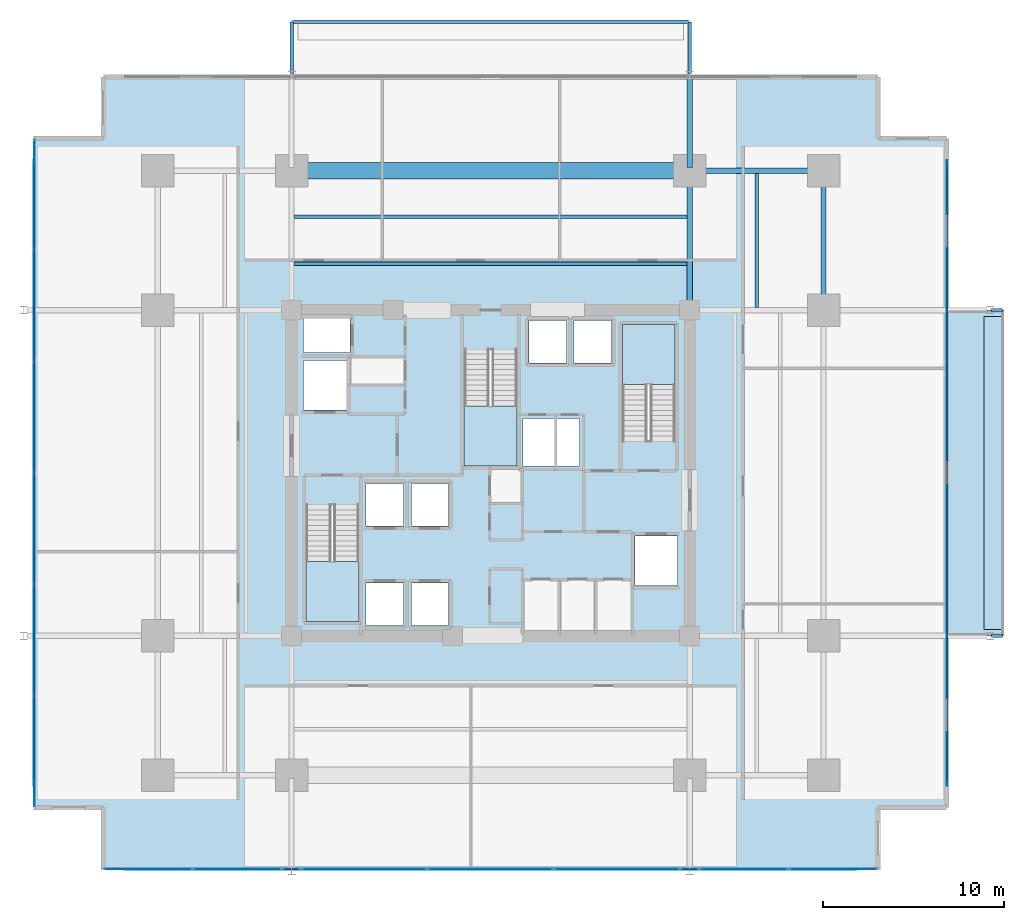
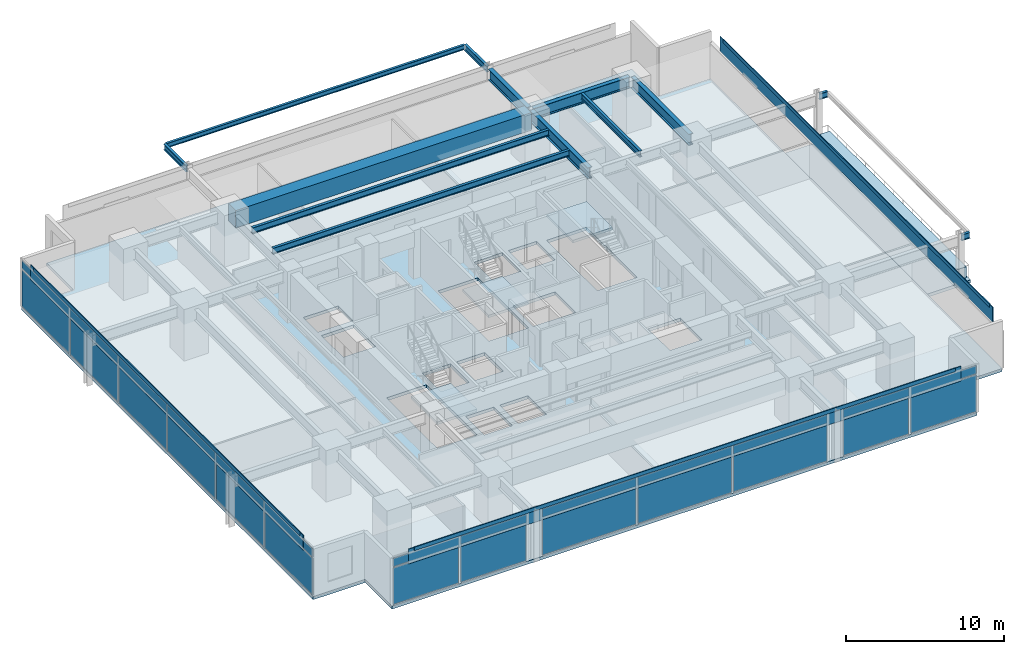
# One storey, part 12 of 20: 32 plates, 13 beams, 6 slabs, 7 elements without a shape of their own.
"""IFC4 building model written with IfcOpenShell, lengths in metres."""

from ifc_helpers import new_model, si_unit, direction, frame, origin, origin_2d, place, context, subcontext, project, spatial, polyline, rectangle, i_section, outline, extrude, material, layer, layer_set, material_profile, profile_set, type_object, element, aggregate, save


model = new_model("IFC4")

# Units and contexts
model_context = context("Model", 3, precision=1e-05, world=origin(), true_north=direction((0.0, 1.0)))
body_context = subcontext(model_context, "Body", "Model", "MODEL_VIEW")
ifc_project = project(units=[si_unit("LENGTHUNIT", "METRE"), si_unit("AREAUNIT", "SQUARE_METRE"), si_unit("VOLUMEUNIT", "CUBIC_METRE"), si_unit("PLANEANGLEUNIT", "RADIAN"), si_unit("MASSUNIT", "GRAM", prefix="KILO")], contexts=[model_context])

# Site, building, storey
site_placement = place(None, origin())
site = spatial("IfcSite", under=ifc_project, at=site_placement, CompositionType="ELEMENT")
building_placement = place(site_placement, origin())
building = spatial("IfcBuilding", under=site, at=building_placement, Name="Kovane Verandah Tower", CompositionType="ELEMENT")
storey_placement = place(building_placement, frame((0.0, 0.0, 39.60009765625)))
storey = spatial("IfcBuildingStorey", under=building, at=storey_placement, Name="L08", CompositionType="ELEMENT", Elevation=39.60009765625)

# Beams
ifc_material_1 = material(Name="Concrete C80/95", Category="concrete")
ifc_material_profile_1 = material_profile(ifc_material_1, rectangle(XDim=0.89990234375, YDim=1.35009765625, at=origin_2d()), Name="RCB900x1350")
ifc_profile_set_1 = profile_set([ifc_material_profile_1], Name="Concrete C80/95")
beam_type_1 = type_object("IfcBeamType", Name="BM-TR-900x1350", PredefinedType="BEAM", material=ifc_profile_set_1)
beam_1_placement = place(storey_placement, frame((29.179931640625, 44.199951171875, 3.0849609375), z_axis=(1.0, 0.0, 0.0), x_axis=(0.0, 1.0, 0.0)))
element("IfcBeam", 1, at=beam_1_placement, inside=storey, type_object=beam_type_1, Name="L08 Primary Tower Girder G-RN2", PredefinedType="BEAM", context=body_context, shape_type="SweptSolid", body=[
    extrude(rectangle(XDim=0.89990234375, YDim=1.35009765625, at=origin_2d()), origin(), (0.0, 0.0, 1.0), 21.64013671875),
])
ifc_material_2 = material(Name="Steel S355", Category="steel")
ifc_material_profile_2 = material_profile(ifc_material_2, i_section(OverallWidth=0.293701171875, OverallDepth=0.850830078125, WebThickness=0.01611328125, FlangeThickness=0.02685546875, FilletRadius=0.017822265625, at=origin_2d()), Name="UB838x292x226")
ifc_profile_set_2 = profile_set([ifc_material_profile_2], Name="Steel S355")
beam_type_2 = type_object("IfcBeamType", Name="BM-UB838x226", PredefinedType="BEAM", material=ifc_profile_set_2)
beam_2_placement = place(storey_placement, frame((51.179931640625, 44.199951171875, 3.33447265625), z_axis=(1.0, 0.0, 0.0), x_axis=(0.0, 1.0, 0.0)))
element("IfcBeam", 2, at=beam_2_placement, inside=storey, type_object=beam_type_2, Name="L08 Primary Tower Girder G-RN3", PredefinedType="BEAM", context=body_context, shape_type="SweptSolid", body=[
    extrude(i_section(OverallWidth=0.293701171875, OverallDepth=0.850830078125, WebThickness=0.01611328125, FlangeThickness=0.02685546875, FilletRadius=0.017822265625, at=origin_2d()), origin(), (0.0, 0.0, 1.0), 7.0400390625),
])
for number, where, z_axis, x_axis, name in (
    (3, (58.39990234375, 36.679931640625, 3.33447265625), (0.0, 1.0, 0.0), (-1.0, 0.0, 0.0), "L08 Primary Tower Girder G-RE3"),
    (4, (51.0, 36.679931640625, 3.33447265625), (0.0, 1.0, 0.0), (-1.0, 0.0, 0.0), "L08 Primary Tower Girder G-N2"),
):
    element("IfcBeam", number, at=place(storey_placement, frame(where, z_axis=z_axis, x_axis=x_axis)), inside=storey, type_object=beam_type_2, Name=name, PredefinedType="BEAM", context=body_context, shape_type="SweptSolid", body=[
        extrude(i_section(OverallWidth=0.293701171875, OverallDepth=0.850830078125, WebThickness=0.01611328125, FlangeThickness=0.02685546875, FilletRadius=0.017822265625, at=origin_2d()), origin(), (0.0, 0.0, 1.0), 7.340087890625),
    ])
beam_3_placement = place(storey_placement, frame((51.0, 44.3798828125, 3.33447265625), z_axis=(0.0, 1.0, 0.0), x_axis=(-1.0, 0.0, 0.0)))
element("IfcBeam", 5, at=beam_3_placement, inside=storey, type_object=beam_type_2, Name="L08 Primary Tower Girder G-VN2", PredefinedType="BEAM", context=body_context, shape_type="SweptSolid", body=[
    extrude(i_section(OverallWidth=0.293701171875, OverallDepth=0.850830078125, WebThickness=0.01611328125, FlangeThickness=0.02685546875, FilletRadius=0.017822265625, at=origin_2d()), origin(), (0.0, 0.0, 1.0), 4.940185546875),
])
ifc_material_profile_3 = material_profile(ifc_material_2, i_section(OverallWidth=0.19287109375, OverallDepth=0.46728515625, WebThickness=0.011474609375, FlangeThickness=0.01953125, FilletRadius=0.01025390625, at=origin_2d()), Name="UB457x191x98")
ifc_profile_set_3 = profile_set([ifc_material_profile_3], Name="Steel S355")
beam_type_3 = type_object("IfcBeamType", Name="JST-UB457x98", PredefinedType="JOIST", material=ifc_profile_set_3)
for number, where, z_axis, x_axis, name in (
    (6, (29.14501953125, 39.050048828125, 3.5263671875), (1.0, 0.0, 0.0), (0.0, 1.0, 0.0), "L08 Secondary Composite Joist J-N1"),
    (7, (29.14501953125, 41.64990234375, 3.5263671875), (1.0, 0.0, 0.0), (0.0, 1.0, 0.0), "L08 Secondary Composite Joist J-N2"),
):
    element("IfcBeam", number, at=place(storey_placement, frame(where, z_axis=z_axis, x_axis=x_axis)), inside=storey, type_object=beam_type_3, Name=name, PredefinedType="JOIST", context=body_context, shape_type="SweptSolid", body=[
        extrude(i_section(OverallWidth=0.19287109375, OverallDepth=0.46728515625, WebThickness=0.011474609375, FlangeThickness=0.01953125, FilletRadius=0.01025390625, at=origin_2d()), origin(), (0.0, 0.0, 1.0), 21.7099609375),
    ])
beam_4_placement = place(storey_placement, frame((54.699951171875, 36.64501953125, 3.5263671875), z_axis=(0.0, 1.0, 0.0), x_axis=(-1.0, 0.0, 0.0)))
element("IfcBeam", 8, at=beam_4_placement, inside=storey, type_object=beam_type_3, Name="L08 Secondary Composite Joist J-NE1", PredefinedType="JOIST", context=body_context, shape_type="SweptSolid", body=[
    extrude(i_section(OverallWidth=0.19287109375, OverallDepth=0.46728515625, WebThickness=0.011474609375, FlangeThickness=0.01953125, FilletRadius=0.01025390625, at=origin_2d()), origin(), (0.0, 0.0, 1.0), 7.41015625),
])
for number, where, z_axis, x_axis, name in (
    (9, (29.0, 49.580078125, 3.5263671875), (0.0, 1.0, 0.0), (-1.0, 0.0, 0.0), "L08 North Planter Girder 1"),
    (10, (51.0, 49.580078125, 3.5263671875), (0.0, 1.0, 0.0), (-1.0, 0.0, 0.0), "L08 North Planter Girder 2"),
):
    element("IfcBeam", number, at=place(storey_placement, frame(where, z_axis=z_axis, x_axis=x_axis)), inside=storey, type_object=beam_type_3, Name=name, PredefinedType="JOIST", context=body_context, shape_type="SweptSolid", body=[
        extrude(i_section(OverallWidth=0.19287109375, OverallDepth=0.46728515625, WebThickness=0.011474609375, FlangeThickness=0.01953125, FilletRadius=0.01025390625, at=origin_2d()), origin(), (0.0, 0.0, 1.0), 2.843017578125),
    ])
for number, where, z_axis, x_axis, name in (
    (11, (67.679931640625, 18.5, 3.5263671875), (1.0, 0.0, 0.0), (0.0, 1.0, 0.0), "L08 East Planter Girder 1"),
    (12, (67.679931640625, 36.5, 3.5263671875), (1.0, 0.0, 0.0), (0.0, 1.0, 0.0), "L08 East Planter Girder 2"),
):
    element("IfcBeam", number, at=place(storey_placement, frame(where, z_axis=z_axis, x_axis=x_axis)), inside=storey, type_object=beam_type_3, Name=name, PredefinedType="JOIST", context=body_context, shape_type="SweptSolid", body=[
        extrude(i_section(OverallWidth=0.19287109375, OverallDepth=0.46728515625, WebThickness=0.011474609375, FlangeThickness=0.01953125, FilletRadius=0.01025390625, at=origin_2d()), origin(), (0.0, 0.0, 1.0), 0.60302734375),
    ])
ifc_material_profile_4 = material_profile(ifc_material_2, i_section(OverallWidth=0.173095703125, OverallDepth=0.36328125, WebThickness=0.009033203125, FlangeThickness=0.015625, FilletRadius=0.01025390625, at=origin_2d()), Name="UB356x171x67")
ifc_profile_set_4 = profile_set([ifc_material_profile_4], Name="Steel S355")
beam_type_4 = type_object("IfcBeamType", Name="SPD-UB356x67", PredefinedType="USERDEFINED", material=ifc_profile_set_4)
beam_5_placement = place(storey_placement, frame((29.094482421875, 52.423095703125, 3.578125), z_axis=(1.0, 0.0, 0.0), x_axis=(0.0, 1.0, 0.0)))
element("IfcBeam", 13, at=beam_5_placement, inside=storey, type_object=beam_type_4, Name="L08 North Planter Edge Spandrel", ObjectType="SPANDREL", PredefinedType="USERDEFINED", context=body_context, shape_type="SweptSolid", body=[
    extrude(i_section(OverallWidth=0.173095703125, OverallDepth=0.36328125, WebThickness=0.009033203125, FlangeThickness=0.015625, FilletRadius=0.01025390625, at=origin_2d()), origin(), (0.0, 0.0, 1.0), 21.81103515625),
])

# Curtain wall, plates
ifc_material_3 = material(Name="Champagne Anodised Aluminium Frame with Low-E Clear Laminated Glass", Category="aluminium")
curtain_wall_type = type_object("IfcCurtainWallType", Name="CW-SYS-02-LOW", PredefinedType="NOTDEFINED", material=ifc_material_3)
curtain_wall_1_placement = place(storey_placement, origin())
curtain_wall_1 = element("IfcCurtainWall", 14, at=curtain_wall_1_placement, inside=storey, type_object=curtain_wall_type, Name="L08 S Unitised Curtain Wall-1", PredefinedType="NOTDEFINED")
ifc_material_4 = material(Name="Pale Champagne Anodised Aluminium Insulated Spandrel", Category="aluminium")
ifc_layer_1 = layer(ifc_material_4, 0.0400390625)
ifc_layer_set_1 = layer_set([ifc_layer_1], Name="Pale Champagne Anodised Aluminium Insulated Spandrel")
plate_type_1 = type_object("IfcPlateType", Name="PL-CW-SPD-40", PredefinedType="SHEET", material=ifc_layer_set_1)
plate_1_placement = place(storey_placement, frame((21.067626953125, 5.617919921875, 3.02978515625), z_axis=(0.0, 0.0, 1.0), x_axis=(1.0, 0.0, 0.0)))
plate_1 = element("IfcPlate", 15, at=plate_1_placement, type_object=plate_type_1, Name="L08 S Unitised Curtain Wall-1 Spandrel Panel 1", PredefinedType="SHEET", context=body_context, shape_type="SweptSolid", body=[
    extrude(rectangle(XDim=4.801513671875, YDim=0.0400390625, at=origin_2d()), origin(), (0.0, 0.0, 1.0), 0.639892578125),
])
plate_2_placement = place(storey_placement, frame((26.00927734375, 5.617919921875, 3.02978515625), z_axis=(0.0, 0.0, 1.0), x_axis=(1.0, 0.0, 0.0)))
plate_2 = element("IfcPlate", 16, at=plate_2_placement, type_object=plate_type_1, Name="L08 S Unitised Curtain Wall-1 Spandrel Panel 2", PredefinedType="SHEET", context=body_context, shape_type="SweptSolid", body=[
    extrude(rectangle(XDim=4.801513671875, YDim=0.0400390625, at=origin_2d()), origin(), (0.0, 0.0, 1.0), 0.639892578125),
])

curtain_wall_2_placement = place(storey_placement, origin())
curtain_wall_2 = element("IfcCurtainWall", 17, at=curtain_wall_2_placement, inside=storey, type_object=curtain_wall_type, Name="L08 S Unitised Curtain Wall-2", PredefinedType="NOTDEFINED")
plate_3_placement = place(storey_placement, frame((33.01318359375, 5.617919921875, 3.02978515625), z_axis=(0.0, 0.0, 1.0), x_axis=(1.0, 0.0, 0.0)))
plate_3 = element("IfcPlate", 18, at=plate_3_placement, type_object=plate_type_1, Name="L08 S Unitised Curtain Wall-2 Spandrel Panel 1", PredefinedType="SHEET", context=body_context, shape_type="SweptSolid", body=[
    extrude(rectangle(XDim=6.8466796875, YDim=0.0400390625, at=origin_2d()), origin(), (0.0, 0.0, 1.0), 0.639892578125),
])
plate_4_placement = place(storey_placement, frame((40.0, 5.617919921875, 3.02978515625), z_axis=(0.0, 0.0, 1.0), x_axis=(1.0, 0.0, 0.0)))
plate_4 = element("IfcPlate", 19, at=plate_4_placement, type_object=plate_type_1, Name="L08 S Unitised Curtain Wall-2 Spandrel Panel 2", PredefinedType="SHEET", context=body_context, shape_type="SweptSolid", body=[
    extrude(rectangle(XDim=6.8466796875, YDim=0.0400390625, at=origin_2d()), origin(), (0.0, 0.0, 1.0), 0.639892578125),
])
plate_5_placement = place(storey_placement, frame((46.98681640625, 5.617919921875, 3.02978515625), z_axis=(0.0, 0.0, 1.0), x_axis=(1.0, 0.0, 0.0)))
plate_5 = element("IfcPlate", 20, at=plate_5_placement, type_object=plate_type_1, Name="L08 S Unitised Curtain Wall-2 Spandrel Panel 3", PredefinedType="SHEET", context=body_context, shape_type="SweptSolid", body=[
    extrude(rectangle(XDim=6.8466796875, YDim=0.0400390625, at=origin_2d()), origin(), (0.0, 0.0, 1.0), 0.639892578125),
])

curtain_wall_3_placement = place(storey_placement, origin())
curtain_wall_3 = element("IfcCurtainWall", 21, at=curtain_wall_3_placement, inside=storey, type_object=curtain_wall_type, Name="L08 S Unitised Curtain Wall-3", PredefinedType="NOTDEFINED")
plate_6_placement = place(storey_placement, frame((53.99072265625, 5.617919921875, 3.02978515625), z_axis=(0.0, 0.0, 1.0), x_axis=(1.0, 0.0, 0.0)))
plate_6 = element("IfcPlate", 22, at=plate_6_placement, type_object=plate_type_1, Name="L08 S Unitised Curtain Wall-3 Spandrel Panel 1", PredefinedType="SHEET", context=body_context, shape_type="SweptSolid", body=[
    extrude(rectangle(XDim=4.801513671875, YDim=0.0400390625, at=origin_2d()), origin(), (0.0, 0.0, 1.0), 0.639892578125),
])
plate_7_placement = place(storey_placement, frame((58.932373046875, 5.617919921875, 3.02978515625), z_axis=(0.0, 0.0, 1.0), x_axis=(1.0, 0.0, 0.0)))
plate_7 = element("IfcPlate", 23, at=plate_7_placement, type_object=plate_type_1, Name="L08 S Unitised Curtain Wall-3 Spandrel Panel 2", PredefinedType="SHEET", context=body_context, shape_type="SweptSolid", body=[
    extrude(rectangle(XDim=4.801513671875, YDim=0.0400390625, at=origin_2d()), origin(), (0.0, 0.0, 1.0), 0.639892578125),
])

curtain_wall_4_placement = place(storey_placement, origin())
curtain_wall_4 = element("IfcCurtainWall", 24, at=curtain_wall_4_placement, inside=storey, type_object=curtain_wall_type, Name="L08 W Unitised Curtain Wall", PredefinedType="NOTDEFINED")
plate_8_placement = place(storey_placement, frame((14.796875, 42.90185546875, 3.02978515625), z_axis=(0.0, 0.0, 1.0), x_axis=(0.0, -1.0, 0.0)))
plate_8 = element("IfcPlate", 25, at=plate_8_placement, type_object=plate_type_1, Name="L08 W Unitised Curtain Wall Spandrel Panel 1", PredefinedType="SHEET", context=body_context, shape_type="SweptSolid", body=[
    extrude(rectangle(XDim=6.020751953125, YDim=0.0400390625, at=origin_2d()), origin(), (0.0, 0.0, 1.0), 0.639892578125),
])
plate_9_placement = place(storey_placement, frame((14.796875, 36.7412109375, 3.02978515625), z_axis=(0.0, 0.0, 1.0), x_axis=(0.0, -1.0, 0.0)))
plate_9 = element("IfcPlate", 26, at=plate_9_placement, type_object=plate_type_1, Name="L08 W Unitised Curtain Wall Spandrel Panel 2", PredefinedType="SHEET", context=body_context, shape_type="SweptSolid", body=[
    extrude(rectangle(XDim=6.020751953125, YDim=0.0400390625, at=origin_2d()), origin(), (0.0, 0.0, 1.0), 0.639892578125),
])
plate_10_placement = place(storey_placement, frame((14.796875, 30.580322265625, 3.02978515625), z_axis=(0.0, 0.0, 1.0), x_axis=(0.0, -1.0, 0.0)))
plate_10 = element("IfcPlate", 27, at=plate_10_placement, type_object=plate_type_1, Name="L08 W Unitised Curtain Wall Spandrel Panel 3", PredefinedType="SHEET", context=body_context, shape_type="SweptSolid", body=[
    extrude(rectangle(XDim=6.020751953125, YDim=0.0400390625, at=origin_2d()), origin(), (0.0, 0.0, 1.0), 0.639892578125),
])
plate_11_placement = place(storey_placement, frame((14.796875, 24.419677734375, 3.02978515625), z_axis=(0.0, 0.0, 1.0), x_axis=(0.0, -1.0, 0.0)))
plate_11 = element("IfcPlate", 28, at=plate_11_placement, type_object=plate_type_1, Name="L08 W Unitised Curtain Wall Spandrel Panel 4", PredefinedType="SHEET", context=body_context, shape_type="SweptSolid", body=[
    extrude(rectangle(XDim=6.020751953125, YDim=0.0400390625, at=origin_2d()), origin(), (0.0, 0.0, 1.0), 0.639892578125),
])
plate_12_placement = place(storey_placement, frame((14.796875, 18.2587890625, 3.02978515625), z_axis=(0.0, 0.0, 1.0), x_axis=(0.0, -1.0, 0.0)))
plate_12 = element("IfcPlate", 29, at=plate_12_placement, type_object=plate_type_1, Name="L08 W Unitised Curtain Wall Spandrel Panel 5", PredefinedType="SHEET", context=body_context, shape_type="SweptSolid", body=[
    extrude(rectangle(XDim=6.020751953125, YDim=0.0400390625, at=origin_2d()), origin(), (0.0, 0.0, 1.0), 0.639892578125),
])
plate_13_placement = place(storey_placement, frame((14.796875, 12.09814453125, 3.02978515625), z_axis=(0.0, 0.0, 1.0), x_axis=(0.0, -1.0, 0.0)))
plate_13 = element("IfcPlate", 30, at=plate_13_placement, type_object=plate_type_1, Name="L08 W Unitised Curtain Wall Spandrel Panel 6", PredefinedType="SHEET", context=body_context, shape_type="SweptSolid", body=[
    extrude(rectangle(XDim=6.020751953125, YDim=0.0400390625, at=origin_2d()), origin(), (0.0, 0.0, 1.0), 0.639892578125),
])

# Plate
ifc_material_5 = material(Name="Clear Low-E Laminated Double Glazing", Category="glass")
ifc_layer_2 = layer(ifc_material_5, 0.031982421875)
ifc_layer_set_2 = layer_set([ifc_layer_2], Name="Clear Low-E Laminated Double Glazing")
plate_type_2 = type_object("IfcPlateType", Name="PL-CW-VIS-32", PredefinedType="CURTAIN_PANEL", material=ifc_layer_set_2)
plate_14_placement = place(storey_placement, frame((21.067626953125, 5.617919921875, 0.099853515625), z_axis=(0.0, 0.0, 1.0), x_axis=(1.0, 0.0, 0.0)))
plate_14 = element("IfcPlate", 31, at=plate_14_placement, type_object=plate_type_2, Name="L08 S Unitised Curtain Wall-1 Vision Panel 1", PredefinedType="CURTAIN_PANEL", context=body_context, shape_type="SweptSolid", body=[
    extrude(rectangle(XDim=4.801513671875, YDim=0.031982421875, at=origin_2d()), origin(), (0.0, 0.0, 1.0), 2.830078125),
])

plate_15_placement = place(storey_placement, frame((26.00927734375, 5.617919921875, 0.099853515625), z_axis=(0.0, 0.0, 1.0), x_axis=(1.0, 0.0, 0.0)))
plate_15 = element("IfcPlate", 32, at=plate_15_placement, type_object=plate_type_2, Name="L08 S Unitised Curtain Wall-1 Vision Panel 2", PredefinedType="CURTAIN_PANEL", context=body_context, shape_type="SweptSolid", body=[
    extrude(rectangle(XDim=4.801513671875, YDim=0.031982421875, at=origin_2d()), origin(), (0.0, 0.0, 1.0), 2.830078125),
])

aggregate(curtain_wall_1, [plate_14, plate_1, plate_15, plate_2])

plate_16_placement = place(storey_placement, frame((33.01318359375, 5.617919921875, 0.099853515625), z_axis=(0.0, 0.0, 1.0), x_axis=(1.0, 0.0, 0.0)))
plate_16 = element("IfcPlate", 33, at=plate_16_placement, type_object=plate_type_2, Name="L08 S Unitised Curtain Wall-2 Vision Panel 1", PredefinedType="CURTAIN_PANEL", context=body_context, shape_type="SweptSolid", body=[
    extrude(rectangle(XDim=6.8466796875, YDim=0.031982421875, at=origin_2d()), origin(), (0.0, 0.0, 1.0), 2.830078125),
])

plate_17_placement = place(storey_placement, frame((40.0, 5.617919921875, 0.099853515625), z_axis=(0.0, 0.0, 1.0), x_axis=(1.0, 0.0, 0.0)))
plate_17 = element("IfcPlate", 34, at=plate_17_placement, type_object=plate_type_2, Name="L08 S Unitised Curtain Wall-2 Vision Panel 2", PredefinedType="CURTAIN_PANEL", context=body_context, shape_type="SweptSolid", body=[
    extrude(rectangle(XDim=6.8466796875, YDim=0.031982421875, at=origin_2d()), origin(), (0.0, 0.0, 1.0), 2.830078125),
])

plate_18_placement = place(storey_placement, frame((46.98681640625, 5.617919921875, 0.099853515625), z_axis=(0.0, 0.0, 1.0), x_axis=(1.0, 0.0, 0.0)))
plate_18 = element("IfcPlate", 35, at=plate_18_placement, type_object=plate_type_2, Name="L08 S Unitised Curtain Wall-2 Vision Panel 3", PredefinedType="CURTAIN_PANEL", context=body_context, shape_type="SweptSolid", body=[
    extrude(rectangle(XDim=6.8466796875, YDim=0.031982421875, at=origin_2d()), origin(), (0.0, 0.0, 1.0), 2.830078125),
])

aggregate(curtain_wall_2, [plate_16, plate_3, plate_17, plate_4, plate_18, plate_5])

plate_19_placement = place(storey_placement, frame((53.99072265625, 5.617919921875, 0.099853515625), z_axis=(0.0, 0.0, 1.0), x_axis=(1.0, 0.0, 0.0)))
plate_19 = element("IfcPlate", 36, at=plate_19_placement, type_object=plate_type_2, Name="L08 S Unitised Curtain Wall-3 Vision Panel 1", PredefinedType="CURTAIN_PANEL", context=body_context, shape_type="SweptSolid", body=[
    extrude(rectangle(XDim=4.801513671875, YDim=0.031982421875, at=origin_2d()), origin(), (0.0, 0.0, 1.0), 2.830078125),
])

plate_20_placement = place(storey_placement, frame((58.932373046875, 5.617919921875, 0.099853515625), z_axis=(0.0, 0.0, 1.0), x_axis=(1.0, 0.0, 0.0)))
plate_20 = element("IfcPlate", 37, at=plate_20_placement, type_object=plate_type_2, Name="L08 S Unitised Curtain Wall-3 Vision Panel 2", PredefinedType="CURTAIN_PANEL", context=body_context, shape_type="SweptSolid", body=[
    extrude(rectangle(XDim=4.801513671875, YDim=0.031982421875, at=origin_2d()), origin(), (0.0, 0.0, 1.0), 2.830078125),
])

aggregate(curtain_wall_3, [plate_19, plate_6, plate_20, plate_7])

plate_21_placement = place(storey_placement, frame((14.796875, 42.90185546875, 0.099853515625), z_axis=(0.0, 0.0, 1.0), x_axis=(0.0, -1.0, 0.0)))
plate_21 = element("IfcPlate", 38, at=plate_21_placement, type_object=plate_type_2, Name="L08 W Unitised Curtain Wall Vision Panel 1", PredefinedType="CURTAIN_PANEL", context=body_context, shape_type="SweptSolid", body=[
    extrude(rectangle(XDim=6.020751953125, YDim=0.031982421875, at=origin_2d()), origin(), (0.0, 0.0, 1.0), 2.830078125),
])

plate_22_placement = place(storey_placement, frame((14.796875, 36.7412109375, 0.099853515625), z_axis=(0.0, 0.0, 1.0), x_axis=(0.0, -1.0, 0.0)))
plate_22 = element("IfcPlate", 39, at=plate_22_placement, type_object=plate_type_2, Name="L08 W Unitised Curtain Wall Vision Panel 2", PredefinedType="CURTAIN_PANEL", context=body_context, shape_type="SweptSolid", body=[
    extrude(rectangle(XDim=6.020751953125, YDim=0.031982421875, at=origin_2d()), origin(), (0.0, 0.0, 1.0), 2.830078125),
])

plate_23_placement = place(storey_placement, frame((14.796875, 30.580322265625, 0.099853515625), z_axis=(0.0, 0.0, 1.0), x_axis=(0.0, -1.0, 0.0)))
plate_23 = element("IfcPlate", 40, at=plate_23_placement, type_object=plate_type_2, Name="L08 W Unitised Curtain Wall Vision Panel 3", PredefinedType="CURTAIN_PANEL", context=body_context, shape_type="SweptSolid", body=[
    extrude(rectangle(XDim=6.020751953125, YDim=0.031982421875, at=origin_2d()), origin(), (0.0, 0.0, 1.0), 2.830078125),
])

plate_24_placement = place(storey_placement, frame((14.796875, 24.419677734375, 0.099853515625), z_axis=(0.0, 0.0, 1.0), x_axis=(0.0, -1.0, 0.0)))
plate_24 = element("IfcPlate", 41, at=plate_24_placement, type_object=plate_type_2, Name="L08 W Unitised Curtain Wall Vision Panel 4", PredefinedType="CURTAIN_PANEL", context=body_context, shape_type="SweptSolid", body=[
    extrude(rectangle(XDim=6.020751953125, YDim=0.031982421875, at=origin_2d()), origin(), (0.0, 0.0, 1.0), 2.830078125),
])

plate_25_placement = place(storey_placement, frame((14.796875, 18.2587890625, 0.099853515625), z_axis=(0.0, 0.0, 1.0), x_axis=(0.0, -1.0, 0.0)))
plate_25 = element("IfcPlate", 42, at=plate_25_placement, type_object=plate_type_2, Name="L08 W Unitised Curtain Wall Vision Panel 5", PredefinedType="CURTAIN_PANEL", context=body_context, shape_type="SweptSolid", body=[
    extrude(rectangle(XDim=6.020751953125, YDim=0.031982421875, at=origin_2d()), origin(), (0.0, 0.0, 1.0), 2.830078125),
])

plate_26_placement = place(storey_placement, frame((14.796875, 12.09814453125, 0.099853515625), z_axis=(0.0, 0.0, 1.0), x_axis=(0.0, -1.0, 0.0)))
plate_26 = element("IfcPlate", 43, at=plate_26_placement, type_object=plate_type_2, Name="L08 W Unitised Curtain Wall Vision Panel 6", PredefinedType="CURTAIN_PANEL", context=body_context, shape_type="SweptSolid", body=[
    extrude(rectangle(XDim=6.020751953125, YDim=0.031982421875, at=origin_2d()), origin(), (0.0, 0.0, 1.0), 2.830078125),
])

aggregate(curtain_wall_4, [plate_21, plate_8, plate_22, plate_9, plate_23, plate_10, plate_24, plate_11, plate_25, plate_12, plate_26, plate_13])

# Plates
ifc_material_6 = material(Name="Perforated Pale Champagne Anodised Aluminium Solar Screen", Category="aluminium")
ifc_layer_3 = layer(ifc_material_6, 0.050048828125)
ifc_layer_set_3 = layer_set([ifc_layer_3], Name="Perforated Pale Champagne Anodised Aluminium Solar Screen")
plate_type_3 = type_object("IfcPlateType", Name="PL-SCREEN-50", PredefinedType="USERDEFINED", material=ifc_layer_set_3)
plate_27_placement = place(storey_placement, frame((40.0, 5.602783203125, 2.85986328125), z_axis=(0.0, 0.0, 1.0), x_axis=(1.0, 0.0, 0.0)))
element("IfcPlate", 44, at=plate_27_placement, inside=storey, type_object=plate_type_3, Name="L08 S Perforated Champagne-Gold Solar Screen", ObjectType="SCREEN", PredefinedType="USERDEFINED", context=body_context, shape_type="SweptSolid", body=[
    extrude(rectangle(XDim=40.406005859375, YDim=0.050048828125, at=origin_2d()), origin(), (0.0, 0.0, 1.0), 1.14990234375),
])
for number, where, z_axis, x_axis, name in (
    (45, (65.21826171875, 27.5, 2.85986328125), (0.0, 0.0, 1.0), (0.0, 1.0, 0.0), "L08 E Perforated Champagne-Gold Solar Screen"),
    (46, (14.78173828125, 27.5, 2.85986328125), (0.0, 0.0, 1.0), (0.0, -1.0, 0.0), "L08 W Perforated Champagne-Gold Solar Screen"),
):
    element("IfcPlate", number, at=place(storey_placement, frame(where, z_axis=z_axis, x_axis=x_axis)), inside=storey, type_object=plate_type_3, Name=name, ObjectType="SCREEN", PredefinedType="USERDEFINED", context=body_context, shape_type="SweptSolid", body=[
        extrude(rectangle(XDim=34.56396484375, YDim=0.050048828125, at=origin_2d()), origin(), (0.0, 0.0, 1.0), 1.14990234375),
    ])
ifc_material_7 = material(Name="Extruded Pale-Bronze Aluminium Aerofoil Sunshade", Category="aluminium")
ifc_layer_4 = layer(ifc_material_7, 0.06005859375)
ifc_layer_set_4 = layer_set([ifc_layer_4], Name="Extruded Pale-Bronze Aluminium Aerofoil Sunshade")
plate_type_4 = type_object("IfcPlateType", Name="PL-SUNSHADE-60", PredefinedType="USERDEFINED", material=ifc_layer_set_4)
plate_28_placement = place(storey_placement, frame((40.0, 5.597900390625, 3.73974609375), z_axis=(0.0, 0.0, 1.0), x_axis=(1.0, 0.0, 0.0)))
element("IfcPlate", 47, at=plate_28_placement, inside=storey, type_object=plate_type_4, Name="L08 S Subtropical Aerofoil Sunshade", ObjectType="SUNSHADE", PredefinedType="USERDEFINED", context=body_context, shape_type="SweptSolid", body=[
    extrude(rectangle(XDim=39.60595703125, YDim=0.06005859375, at=origin_2d()), origin(), (0.0, 0.0, 1.0), 0.280029296875),
])
for number, where, z_axis, x_axis, name in (
    (48, (65.22314453125, 27.5, 3.73974609375), (0.0, 0.0, 1.0), (0.0, 1.0, 0.0), "L08 E Subtropical Aerofoil Sunshade"),
    (49, (14.77685546875, 27.5, 3.73974609375), (0.0, 0.0, 1.0), (0.0, -1.0, 0.0), "L08 W Subtropical Aerofoil Sunshade"),
):
    element("IfcPlate", number, at=place(storey_placement, frame(where, z_axis=z_axis, x_axis=x_axis)), inside=storey, type_object=plate_type_4, Name=name, ObjectType="SUNSHADE", PredefinedType="USERDEFINED", context=body_context, shape_type="SweptSolid", body=[
        extrude(rectangle(XDim=33.763916015625, YDim=0.06005859375, at=origin_2d()), origin(), (0.0, 0.0, 1.0), 0.280029296875),
    ])

# Slab
ifc_material_8 = material(Name="Concrete C45/55", Category="concrete")
ifc_layer_5 = layer(ifc_material_8, 0.239990234375)
ifc_layer_set_5 = layer_set([ifc_layer_5], Name="Concrete C45/55")
slab_type_1 = type_object("IfcSlabType", Name="SL-BALC-240", PredefinedType="FLOOR", material=ifc_layer_set_5)
slab_1_placement = place(storey_placement, frame((0.0, 0.0, -0.239990234375)))
element("IfcSlab", 50, at=slab_1_placement, inside=storey, type_object=slab_type_1, Name="L08 E Planted Verandah Balcony Slab", PredefinedType="FLOOR", context=body_context, shape_type="SweptSolid", body=[
    extrude(outline(polyline([(65.203125, 18.5), (68.353271484375, 18.5), (68.353271484375, 36.5), (65.203125, 36.5), (65.203125, 18.5)])), origin(), (0.0, 0.0, 1.0), 0.239990234375),
])

# Stair, slab
stair_type = type_object("IfcStairType", Name="ST-CORE-1380", PredefinedType="HALF_TURN_STAIR", material=ifc_material_8)
stair_1_placement = place(storey_placement, origin())
stair_1 = element("IfcStair", 51, at=stair_1_placement, inside=storey, type_object=stair_type, Name="L08 Exit Stair ST-01", PredefinedType="HALF_TURN_STAIR")
ifc_layer_6 = layer(ifc_material_8, 0.199951171875)
ifc_layer_set_6 = layer_set([ifc_layer_6], Name="Concrete C45/55")
slab_type_2 = type_object("IfcSlabType", Name="SL-LAND-200", PredefinedType="LANDING", material=ifc_layer_set_6)
slab_2_placement = place(storey_placement, frame((0.0, 0.0, 1.7998046875)))
slab_2 = element("IfcSlab", 52, at=slab_2_placement, type_object=slab_type_2, Name="ST-01 landing 1", PredefinedType="LANDING", context=body_context, shape_type="SweptSolid", body=[
    extrude(outline(polyline([(29.800048828125, 22.614990234375), (29.800048828125, 19.300048828125), (32.719970703125, 19.300048828125), (32.719970703125, 22.614990234375), (29.800048828125, 22.614990234375)])), origin(), (0.0, 0.0, 1.0), 0.2001953125),
])
aggregate(stair_1, [slab_2])

stair_2_placement = place(storey_placement, origin())
stair_2 = element("IfcStair", 53, at=stair_2_placement, inside=storey, type_object=stair_type, Name="L08 Exit Stair ST-02", PredefinedType="HALF_TURN_STAIR")
slab_3_placement = place(storey_placement, frame((0.0, 0.0, 1.7998046875)))
slab_3 = element("IfcSlab", 54, at=slab_3_placement, type_object=slab_type_2, Name="ST-02 landing 1", PredefinedType="LANDING", context=body_context, shape_type="SweptSolid", body=[
    extrude(outline(polyline([(50.199951171875, 32.385009765625), (50.199951171875, 35.699951171875), (47.280029296875, 35.699951171875), (47.280029296875, 32.385009765625), (50.199951171875, 32.385009765625)])), origin(), (0.0, 0.0, 1.0), 0.2001953125),
])
aggregate(stair_2, [slab_3])

stair_3_placement = place(storey_placement, origin())
stair_3 = element("IfcStair", 55, at=stair_3_placement, inside=storey, type_object=stair_type, Name="L08 Exit Stair ST-03", PredefinedType="HALF_TURN_STAIR")
slab_4_placement = place(storey_placement, frame((0.0, 0.0, 1.7998046875)))
slab_4 = element("IfcSlab", 56, at=slab_4_placement, type_object=slab_type_2, Name="ST-03 landing 1", PredefinedType="LANDING", context=body_context, shape_type="SweptSolid", body=[
    extrude(outline(polyline([(38.5400390625, 31.215087890625), (38.5400390625, 27.89990234375), (41.4599609375, 27.89990234375), (41.4599609375, 31.215087890625), (38.5400390625, 31.215087890625)])), origin(), (0.0, 0.0, 1.0), 0.2001953125),
])
aggregate(stair_3, [slab_4])

# Slabs
ifc_material_9 = material(Name="Architectural Precast Concrete C45/55 Planter Trough", Category="concrete")
ifc_layer_7 = layer(ifc_material_9, 0.219970703125)
ifc_layer_set_7 = layer_set([ifc_layer_7], Name="Architectural Precast Concrete C45/55 Planter Trough")
slab_type_3 = type_object("IfcSlabType", Name="SL-PLANTER-220", PredefinedType="USERDEFINED", material=ifc_layer_set_7)
slab_5_placement = place(storey_placement, origin())
element("IfcSlab", 57, at=slab_5_placement, inside=storey, type_object=slab_type_3, Name="L08 E Structural Tree Planter", ObjectType="PLANTER", PredefinedType="USERDEFINED", context=body_context, shape_type="SweptSolid", body=[
    extrude(outline(polyline([(67.253173828125, 18.85009765625), (68.253173828125, 18.85009765625), (68.253173828125, 36.14990234375), (67.253173828125, 36.14990234375), (67.253173828125, 18.85009765625)])), origin(), (0.0, 0.0, 1.0), 0.849853515625),
])
ifc_layer_8 = layer(ifc_material_8, 0.239990234375)
ifc_layer_set_8 = layer_set([ifc_layer_8], Name="Concrete C45/55")
slab_type_4 = type_object("IfcSlabType", Name="SL-TYP-240", PredefinedType="FLOOR", material=ifc_layer_set_8)
slab_6_placement = place(storey_placement, frame((0.0, 0.0, -0.239990234375)))
element("IfcSlab", 58, at=slab_6_placement, inside=storey, type_object=slab_type_4, Name="L08 Structural Floor Slab", PredefinedType="FLOOR", context=body_context, shape_type="SweptSolid", body=[
    extrude(outline(polyline([(18.5966796875, 5.617919921875), (61.4033203125, 5.617919921875), (61.4033203125, 9.017822265625), (65.203125, 9.017822265625), (65.203125, 45.982177734375), (61.4033203125, 45.982177734375), (61.4033203125, 49.382080078125), (18.5966796875, 49.382080078125), (18.5966796875, 45.982177734375), (14.796875, 45.982177734375), (14.796875, 9.017822265625), (18.5966796875, 9.017822265625), (18.5966796875, 5.617919921875)]), holes=[polyline([(29.800048828125, 19.300048828125), (32.719970703125, 19.300048828125), (32.719970703125, 25.705078125), (29.800048828125, 25.705078125), (29.800048828125, 19.300048828125)]), polyline([(47.280029296875, 29.294921875), (50.199951171875, 29.294921875), (50.199951171875, 35.699951171875), (47.280029296875, 35.699951171875), (47.280029296875, 29.294921875)]), polyline([(38.5400390625, 27.89990234375), (41.4599609375, 27.89990234375), (41.4599609375, 34.304931640625), (38.5400390625, 34.304931640625), (38.5400390625, 27.89990234375)]), polyline([(29.669921875, 30.969970703125), (32.030029296875, 30.969970703125), (32.030029296875, 33.72998046875), (29.669921875, 33.72998046875), (29.669921875, 30.969970703125)]), polyline([(47.969970703125, 21.27001953125), (50.330078125, 21.27001953125), (50.330078125, 24.030029296875), (47.969970703125, 24.030029296875), (47.969970703125, 21.27001953125)]), polyline([(29.669921875, 34.169921875), (32.22998046875, 34.169921875), (32.22998046875, 36.030029296875), (29.669921875, 36.030029296875), (29.669921875, 34.169921875)]), polyline([(33.1201171875, 19.070068359375), (35.179931640625, 19.070068359375), (35.179931640625, 21.429931640625), (33.1201171875, 21.429931640625), (33.1201171875, 19.070068359375)]), polyline([(35.6201171875, 19.070068359375), (37.679931640625, 19.070068359375), (37.679931640625, 21.429931640625), (35.6201171875, 21.429931640625), (35.6201171875, 19.070068359375)]), polyline([(33.1201171875, 24.570068359375), (35.179931640625, 24.570068359375), (35.179931640625, 26.929931640625), (33.1201171875, 26.929931640625), (33.1201171875, 24.570068359375)]), polyline([(35.6201171875, 24.570068359375), (37.679931640625, 24.570068359375), (37.679931640625, 26.929931640625), (35.6201171875, 26.929931640625), (35.6201171875, 24.570068359375)]), polyline([(42.1201171875, 33.570068359375), (44.179931640625, 33.570068359375), (44.179931640625, 35.929931640625), (42.1201171875, 35.929931640625), (42.1201171875, 33.570068359375)]), polyline([(44.6201171875, 33.570068359375), (46.679931640625, 33.570068359375), (46.679931640625, 35.929931640625), (44.6201171875, 35.929931640625), (44.6201171875, 33.570068359375)]), polyline([(41.800048828125, 27.89990234375), (44.89990234375, 27.89990234375), (44.89990234375, 30.5), (41.800048828125, 30.5), (41.800048828125, 27.89990234375)])]), origin(), (0.0, 0.0, 1.0), 0.239990234375),
])

save(model, "model.ifc")
